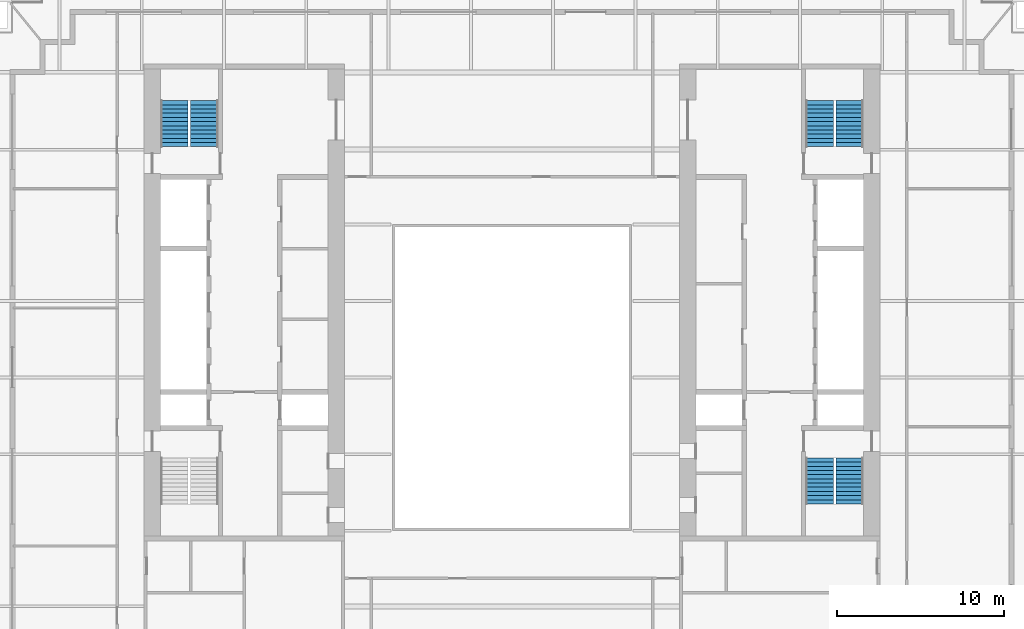
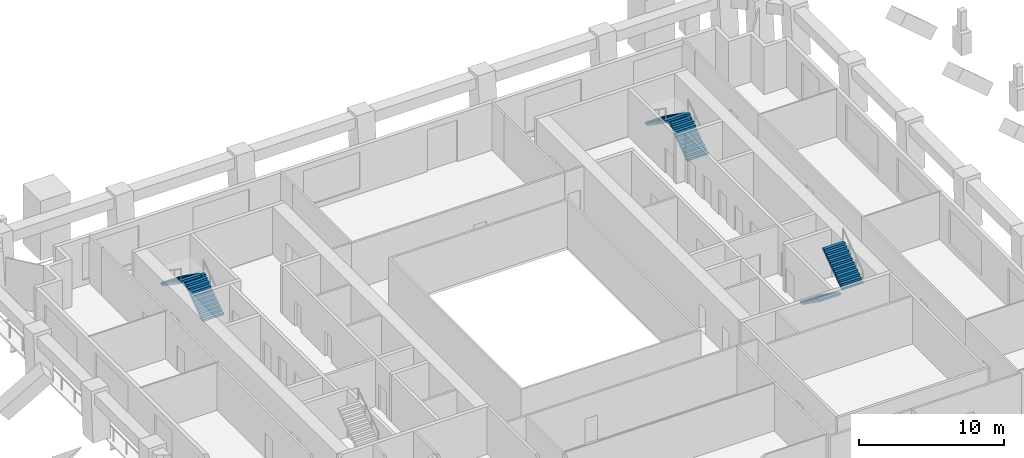
# One storey, part 8 of 10: 6 stair flights, 3 elements without a shape of their own.
"""IFC4 building model written with IfcOpenShell, lengths in metres."""

from ifc_helpers import new_model, si_unit, direction, frame, origin, place, context, subcontext, project, spatial, polyline, outline, extrude, material, type_object, element, aggregate, save


model = new_model("IFC4")

# Units and contexts
model_context = context("Model", 3, precision=1e-05, world=origin(), true_north=direction((0.0, 1.0)))
body_context = subcontext(model_context, "Body", "Model", "MODEL_VIEW")
ifc_project = project(units=[si_unit("LENGTHUNIT", "METRE"), si_unit("AREAUNIT", "SQUARE_METRE"), si_unit("VOLUMEUNIT", "CUBIC_METRE"), si_unit("PLANEANGLEUNIT", "RADIAN"), si_unit("MASSUNIT", "GRAM", prefix="KILO")], contexts=[model_context])

# Site, building, storey
site_placement = place(None, origin())
site = spatial("IfcSite", under=ifc_project, at=site_placement, CompositionType="ELEMENT")
building_placement = place(site_placement, origin())
building = spatial("IfcBuilding", under=site, at=building_placement, Name="Ogive Exchange Tower", CompositionType="ELEMENT")
storey_placement = place(building_placement, frame((0.0, 0.0, 39.60009765625)))
storey = spatial("IfcBuildingStorey", under=building, at=storey_placement, Name="L07", CompositionType="ELEMENT", Elevation=39.60009765625)

# Stair, stair flights
ifc_material = material(Name="Concrete C40/50", Category="concrete")
stair_type = type_object("IfcStairType", Name="Exit stair 1650 wide", PredefinedType="HALF_TURN_STAIR", material=ifc_material)
stair_1_placement = place(storey_placement, origin())
stair_1 = element("IfcStair", 1, at=stair_1_placement, inside=storey, type_object=stair_type, Name="L07 exit stair ST2", PredefinedType="HALF_TURN_STAIR")
stair_flight_type = type_object("IfcStairFlightType", Name="Stair flight 1650 wide", PredefinedType="STRAIGHT", material=ifc_material)
stair_flight_1_placement = place(storey_placement, frame((-18.375, 20.800048828125, 0.0), z_axis=(0.0, 0.0, 1.0), x_axis=(0.0, 1.0, 0.0)))
stair_flight_1 = element("IfcStairFlight", 2, at=stair_flight_1_placement, type_object=stair_flight_type, Name="ST2 flight 1", NumberOfRisers=12, NumberOfTreads=11, PredefinedType="STRAIGHT", RiserHeight=0.175, TreadLength=0.25, context=body_context, shape_type="SweptSolid", body=[
    extrude(outline(polyline([(0.0, 0.0), (0.0, 0.175048828125), (0.25, 0.175048828125), (0.25, 0.35009765625), (0.5, 0.35009765625), (0.5, 0.52490234375), (0.75, 0.52490234375), (0.75, 0.699951171875), (1.0, 0.699951171875), (1.0, 0.875), (1.25, 0.875), (1.25, 1.050048828125), (1.5, 1.050048828125), (1.5, 1.22509765625), (1.75, 1.22509765625), (1.75, 1.39990234375), (2.0, 1.39990234375), (2.0, 1.574951171875), (2.25, 1.574951171875), (2.25, 1.75), (2.5, 1.75), (2.5, 1.925048828125), (2.75, 1.925048828125), (2.75, 2.10009765625), (2.75, 1.741943359375), (0.261474609375, 0.0), (0.0, 0.0)])), frame((0.0, 0.824951171875, 0.0), z_axis=(0.0, -1.0, 0.0), x_axis=(1.0, 0.0, 0.0)), (0.0, 0.0, 1.0), 1.64990234375),
])
stair_flight_2_placement = place(storey_placement, frame((-20.175048828125, 23.550048828125, 2.099853515625), z_axis=(0.0, 0.0, 1.0), x_axis=(0.0, -1.0, 0.0)))
stair_flight_2 = element("IfcStairFlight", 3, at=stair_flight_2_placement, type_object=stair_flight_type, Name="ST2 flight 2", NumberOfRisers=12, NumberOfTreads=11, PredefinedType="STRAIGHT", RiserHeight=0.175, TreadLength=0.25, context=body_context, shape_type="SweptSolid", body=[
    extrude(outline(polyline([(0.0, 0.0), (0.0, 0.175048828125), (0.25, 0.175048828125), (0.25, 0.35009765625), (0.5, 0.35009765625), (0.5, 0.52490234375), (0.75, 0.52490234375), (0.75, 0.699951171875), (1.0, 0.699951171875), (1.0, 0.875), (1.25, 0.875), (1.25, 1.050048828125), (1.5, 1.050048828125), (1.5, 1.22509765625), (1.75, 1.22509765625), (1.75, 1.39990234375), (2.0, 1.39990234375), (2.0, 1.574951171875), (2.25, 1.574951171875), (2.25, 1.75), (2.5, 1.75), (2.5, 1.925048828125), (2.75, 1.925048828125), (2.75, 2.10009765625), (2.75, 1.741943359375), (0.261474609375, 0.0), (0.0, 0.0)])), frame((0.0, 0.824951171875, 0.0), z_axis=(0.0, -1.0, 0.0), x_axis=(1.0, 0.0, 0.0)), (0.0, 0.0, 1.0), 1.64990234375),
])
aggregate(stair_1, [stair_flight_1, stair_flight_2])

stair_2_placement = place(storey_placement, origin())
stair_2 = element("IfcStair", 4, at=stair_2_placement, inside=storey, type_object=stair_type, Name="L07 exit stair ST3", PredefinedType="HALF_TURN_STAIR")
stair_flight_3_placement = place(storey_placement, frame((18.375, 2.199951171875, 0.0), z_axis=(0.0, 0.0, 1.0), x_axis=(0.0, -1.0, 0.0)))
stair_flight_3 = element("IfcStairFlight", 5, at=stair_flight_3_placement, type_object=stair_flight_type, Name="ST3 flight 1", NumberOfRisers=12, NumberOfTreads=11, PredefinedType="STRAIGHT", RiserHeight=0.175, TreadLength=0.25, context=body_context, shape_type="SweptSolid", body=[
    extrude(outline(polyline([(0.0, 0.0), (0.0, 0.175048828125), (0.25, 0.175048828125), (0.25, 0.35009765625), (0.5, 0.35009765625), (0.5, 0.52490234375), (0.75, 0.52490234375), (0.75, 0.699951171875), (1.0, 0.699951171875), (1.0, 0.875), (1.25, 0.875), (1.25, 1.050048828125), (1.5, 1.050048828125), (1.5, 1.22509765625), (1.75, 1.22509765625), (1.75, 1.39990234375), (2.0, 1.39990234375), (2.0, 1.574951171875), (2.25, 1.574951171875), (2.25, 1.75), (2.5, 1.75), (2.5, 1.925048828125), (2.75, 1.925048828125), (2.75, 2.10009765625), (2.75, 1.741943359375), (0.261474609375, 0.0), (0.0, 0.0)])), frame((0.0, 0.824951171875, 0.0), z_axis=(0.0, -1.0, 0.0), x_axis=(1.0, 0.0, 0.0)), (0.0, 0.0, 1.0), 1.64990234375),
])
stair_flight_4_placement = place(storey_placement, frame((20.175048828125, -0.550048828125, 2.099853515625), z_axis=(0.0, 0.0, 1.0), x_axis=(0.0, 1.0, 0.0)))
stair_flight_4 = element("IfcStairFlight", 6, at=stair_flight_4_placement, type_object=stair_flight_type, Name="ST3 flight 2", NumberOfRisers=12, NumberOfTreads=11, PredefinedType="STRAIGHT", RiserHeight=0.175, TreadLength=0.25, context=body_context, shape_type="SweptSolid", body=[
    extrude(outline(polyline([(0.0, 0.0), (0.0, 0.175048828125), (0.25, 0.175048828125), (0.25, 0.35009765625), (0.5, 0.35009765625), (0.5, 0.52490234375), (0.75, 0.52490234375), (0.75, 0.699951171875), (1.0, 0.699951171875), (1.0, 0.875), (1.25, 0.875), (1.25, 1.050048828125), (1.5, 1.050048828125), (1.5, 1.22509765625), (1.75, 1.22509765625), (1.75, 1.39990234375), (2.0, 1.39990234375), (2.0, 1.574951171875), (2.25, 1.574951171875), (2.25, 1.75), (2.5, 1.75), (2.5, 1.925048828125), (2.75, 1.925048828125), (2.75, 2.10009765625), (2.75, 1.741943359375), (0.261474609375, 0.0), (0.0, 0.0)])), frame((0.0, 0.824951171875, 0.0), z_axis=(0.0, -1.0, 0.0), x_axis=(1.0, 0.0, 0.0)), (0.0, 0.0, 1.0), 1.64990234375),
])
aggregate(stair_2, [stair_flight_3, stair_flight_4])

stair_3_placement = place(storey_placement, origin())
stair_3 = element("IfcStair", 7, at=stair_3_placement, inside=storey, type_object=stair_type, Name="L07 exit stair ST4", PredefinedType="HALF_TURN_STAIR")
stair_flight_5_placement = place(storey_placement, frame((20.175048828125, 20.800048828125, 0.0), z_axis=(0.0, 0.0, 1.0), x_axis=(0.0, 1.0, 0.0)))
stair_flight_5 = element("IfcStairFlight", 8, at=stair_flight_5_placement, type_object=stair_flight_type, Name="ST4 flight 1", NumberOfRisers=12, NumberOfTreads=11, PredefinedType="STRAIGHT", RiserHeight=0.175, TreadLength=0.25, context=body_context, shape_type="SweptSolid", body=[
    extrude(outline(polyline([(0.0, 0.0), (0.0, 0.175048828125), (0.25, 0.175048828125), (0.25, 0.35009765625), (0.5, 0.35009765625), (0.5, 0.52490234375), (0.75, 0.52490234375), (0.75, 0.699951171875), (1.0, 0.699951171875), (1.0, 0.875), (1.25, 0.875), (1.25, 1.050048828125), (1.5, 1.050048828125), (1.5, 1.22509765625), (1.75, 1.22509765625), (1.75, 1.39990234375), (2.0, 1.39990234375), (2.0, 1.574951171875), (2.25, 1.574951171875), (2.25, 1.75), (2.5, 1.75), (2.5, 1.925048828125), (2.75, 1.925048828125), (2.75, 2.10009765625), (2.75, 1.741943359375), (0.261474609375, 0.0), (0.0, 0.0)])), frame((0.0, 0.824951171875, 0.0), z_axis=(0.0, -1.0, 0.0), x_axis=(1.0, 0.0, 0.0)), (0.0, 0.0, 1.0), 1.64990234375),
])
stair_flight_6_placement = place(storey_placement, frame((18.375, 23.550048828125, 2.099853515625), z_axis=(0.0, 0.0, 1.0), x_axis=(0.0, -1.0, 0.0)))
stair_flight_6 = element("IfcStairFlight", 9, at=stair_flight_6_placement, type_object=stair_flight_type, Name="ST4 flight 2", NumberOfRisers=12, NumberOfTreads=11, PredefinedType="STRAIGHT", RiserHeight=0.175, TreadLength=0.25, context=body_context, shape_type="SweptSolid", body=[
    extrude(outline(polyline([(0.0, 0.0), (0.0, 0.175048828125), (0.25, 0.175048828125), (0.25, 0.35009765625), (0.5, 0.35009765625), (0.5, 0.52490234375), (0.75, 0.52490234375), (0.75, 0.699951171875), (1.0, 0.699951171875), (1.0, 0.875), (1.25, 0.875), (1.25, 1.050048828125), (1.5, 1.050048828125), (1.5, 1.22509765625), (1.75, 1.22509765625), (1.75, 1.39990234375), (2.0, 1.39990234375), (2.0, 1.574951171875), (2.25, 1.574951171875), (2.25, 1.75), (2.5, 1.75), (2.5, 1.925048828125), (2.75, 1.925048828125), (2.75, 2.10009765625), (2.75, 1.741943359375), (0.261474609375, 0.0), (0.0, 0.0)])), frame((0.0, 0.824951171875, 0.0), z_axis=(0.0, -1.0, 0.0), x_axis=(1.0, 0.0, 0.0)), (0.0, 0.0, 1.0), 1.64990234375),
])
aggregate(stair_3, [stair_flight_5, stair_flight_6])

save(model, "model.ifc")
